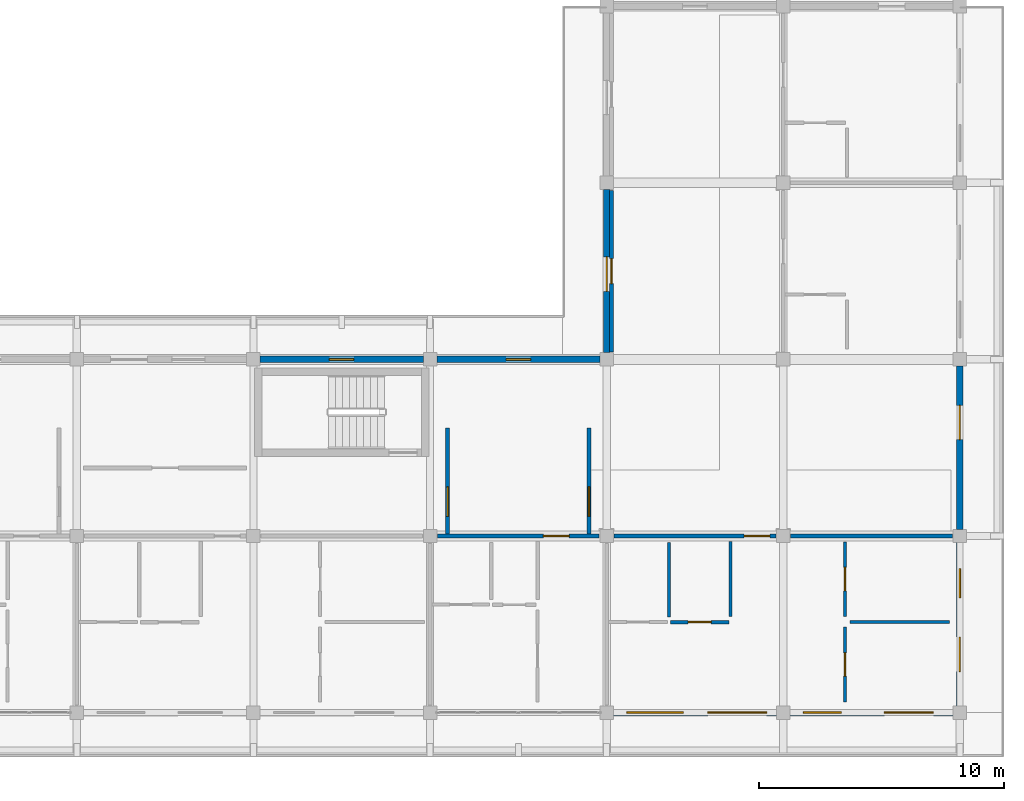
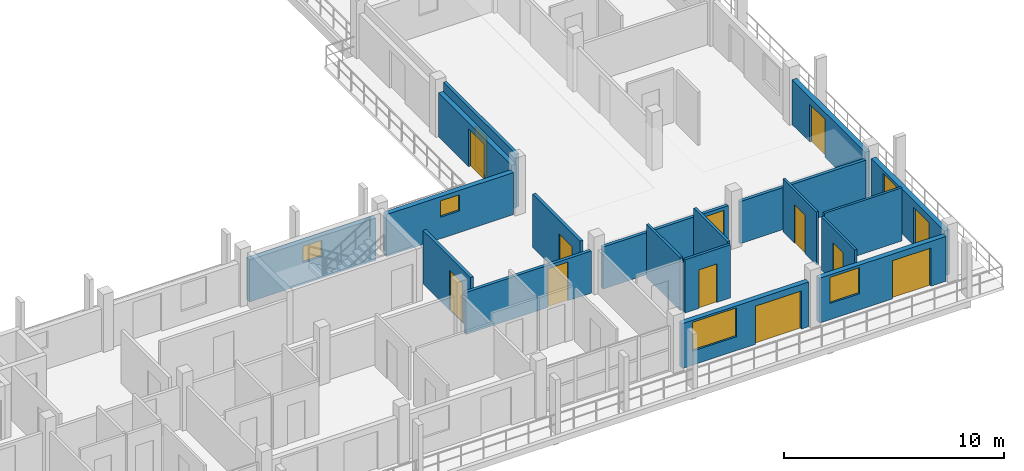
# One storey, part 46 of 65: 19 walls, 13 doors, 5 windows, 18 openings.
"""IFC4 building model written with IfcOpenShell, lengths in metres."""

from ifc_helpers import new_model, si_unit, direction, frame, frame_2d, origin, place, context, subcontext, project, spatial, rectangle, extrude, material, layer, layer_set, type_object, element, fill, save


model = new_model("IFC4")

# Units and contexts
model_context = context("Model", 3, precision=1e-05, world=origin(), true_north=direction((0.0, 1.0)))
body_context = subcontext(model_context, "Body", "Model", "MODEL_VIEW")
ifc_project = project(units=[si_unit("LENGTHUNIT", "METRE"), si_unit("AREAUNIT", "SQUARE_METRE"), si_unit("VOLUMEUNIT", "CUBIC_METRE"), si_unit("PLANEANGLEUNIT", "RADIAN"), si_unit("MASSUNIT", "GRAM", prefix="KILO")], contexts=[model_context])

# Site, building, storey
site_placement = place(None, origin())
site = spatial("IfcSite", under=ifc_project, at=site_placement, CompositionType="ELEMENT")
building_placement = place(site_placement, origin())
building = spatial("IfcBuilding", under=site, at=building_placement, Name="Suanplinth Sawtooth Commons", CompositionType="ELEMENT")
storey_placement = place(building_placement, frame((0.0, 0.0, 28.300048828125)))
storey = spatial("IfcBuildingStorey", under=building, at=storey_placement, Name="L08", CompositionType="ELEMENT", Elevation=28.300048828125)

# Wall, opening, window
ifc_material_1 = material(Name="Precast concrete C40/50", Category="concrete")
ifc_layer_1 = layer(ifc_material_1, 0.260009765625, Name="Insulated precast courtyard facade wall 260mm")
ifc_layer_set_1 = layer_set([ifc_layer_1], Name="Precast concrete C40/50")
wall_type_1 = type_object("IfcWallType", Name="W-EX02", PredefinedType="ELEMENTEDWALL", material=ifc_layer_set_1)
wall_1_placement = place(storey_placement, frame((158.675048828125, 14.39990234375, 0.0), z_axis=(0.0, 0.0, 1.0), x_axis=(1.0, 0.0, 0.0)))
wall_1 = element("IfcWall", 1, at=wall_1_placement, inside=storey, type_object=wall_type_1, Name="Facade Wall W-L08-C-N-22-1", PredefinedType="ELEMENTEDWALL", context=body_context, shape_type="SweptSolid", body=[
    extrude(rectangle(XDim=6.64990234375, YDim=0.260009765625, at=frame_2d((3.324951171875, 0.0))), origin(), (0.0, 0.0, 1.0), 2.3349609375),
])
opening_1_placement = place(wall_1_placement, frame((2.824951171875, 0.0, 1.199951171875)))
opening_1 = element("IfcOpeningElement", 2, at=opening_1_placement, cuts=wall_1, Name="Opening W0748", PredefinedType="OPENING", context=body_context, shape_type="SweptSolid", body=[
    extrude(rectangle(XDim=1.0, YDim=0.89990234375, at=frame_2d((0.5, 0.449951171875))), frame((0.0, 0.14501953125, 0.0), z_axis=(0.0, -1.0, 0.0), x_axis=(1.0, 0.0, 0.0)), (0.0, 0.0, 1.0), 0.289794921875),
])
ifc_material_2 = material(Name="Thermally broken aluminium and low-E double glazing", Category="aluminium")
window_type_1 = type_object("IfcWindowType", Name="WN-12", PartitioningType="SINGLE_PANEL", PredefinedType="WINDOW", material=ifc_material_2)
window_1_placement = place(opening_1_placement, origin())
window_1 = element("IfcWindow", 3, at=window_1_placement, inside=storey, type_object=window_type_1, Name="Core Daylight Window L08-C-22-1", OverallHeight=0.89990234375, OverallWidth=1.0, PartitioningType="SINGLE_PANEL", PredefinedType="WINDOW", context=body_context, shape_type="SweptSolid", body=[
    extrude(rectangle(XDim=1.0, YDim=0.89990234375, at=frame_2d((0.5, 0.449951171875))), frame((0.0, 0.030029296875, 0.0), z_axis=(0.0, -1.0, 0.0), x_axis=(1.0, 0.0, 0.0)), (0.0, 0.0, 1.0), 0.06005859375),
])
fill(opening_1, window_1)

wall_2_placement = place(storey_placement, frame((165.875, 14.39990234375, 0.0), z_axis=(0.0, 0.0, 1.0), x_axis=(1.0, 0.0, 0.0)))
wall_2 = element("IfcWall", 4, at=wall_2_placement, inside=storey, type_object=wall_type_1, Name="Facade Wall W-L08-C-N-23-1", PredefinedType="ELEMENTEDWALL", context=body_context, shape_type="SweptSolid", body=[
    extrude(rectangle(XDim=6.64990234375, YDim=0.260009765625, at=frame_2d((3.324951171875, 0.0))), origin(), (0.0, 0.0, 1.0), 2.3349609375),
])
opening_2_placement = place(wall_2_placement, frame((2.824951171875, 0.0, 1.199951171875)))
opening_2 = element("IfcOpeningElement", 5, at=opening_2_placement, cuts=wall_2, Name="Opening W0749", PredefinedType="OPENING", context=body_context, shape_type="SweptSolid", body=[
    extrude(rectangle(XDim=1.0, YDim=0.89990234375, at=frame_2d((0.5, 0.449951171875))), frame((0.0, 0.14501953125, 0.0), z_axis=(0.0, -1.0, 0.0), x_axis=(1.0, 0.0, 0.0)), (0.0, 0.0, 1.0), 0.289794921875),
])
window_2_placement = place(opening_2_placement, origin())
window_2 = element("IfcWindow", 6, at=window_2_placement, inside=storey, type_object=window_type_1, Name="Core Daylight Window L08-C-23-1", OverallHeight=0.89990234375, OverallWidth=1.0, PartitioningType="SINGLE_PANEL", PredefinedType="WINDOW", context=body_context, shape_type="SweptSolid", body=[
    extrude(rectangle(XDim=1.0, YDim=0.89990234375, at=frame_2d((0.5, 0.449951171875))), frame((0.0, 0.030029296875, 0.0), z_axis=(0.0, -1.0, 0.0), x_axis=(1.0, 0.0, 0.0)), (0.0, 0.0, 1.0), 0.06005859375),
])
fill(opening_2, window_2)

# Wall, openings, door, window
wall_3_placement = place(storey_placement, frame((173.074951171875, 0.0, 0.0), z_axis=(0.0, 0.0, 1.0), x_axis=(1.0, 0.0, 0.0)))
wall_3 = element("IfcWall", 7, at=wall_3_placement, inside=storey, type_object=wall_type_1, Name="Facade Wall W-L08-C-S-24-0", PredefinedType="ELEMENTEDWALL", context=body_context, shape_type="SweptSolid", body=[
    extrude(rectangle(XDim=6.650146484375, YDim=0.260009765625, at=frame_2d((3.3251953125, 0.0))), origin(), (0.0, 0.0, 1.0), 2.48486328125),
])
opening_3_placement = place(wall_3_placement, frame((3.85009765625, 0.0, 0.0)))
opening_3 = element("IfcOpeningElement", 8, at=opening_3_placement, cuts=wall_3, Name="Opening ED0665", PredefinedType="OPENING", context=body_context, shape_type="SweptSolid", body=[
    extrude(rectangle(XDim=2.39990234375, YDim=2.1201171875, at=frame_2d((1.199951171875, 1.06005859375))), frame((0.0, 0.14501953125, 0.0), z_axis=(0.0, -1.0, 0.0), x_axis=(1.0, 0.0, 0.0)), (0.0, 0.0, 1.0), 0.289794921875),
])
opening_4_placement = place(wall_3_placement, frame((0.550048828125, 0.0, 0.77490234375)))
opening_4 = element("IfcOpeningElement", 9, at=opening_4_placement, cuts=wall_3, Name="Opening W0750", PredefinedType="OPENING", context=body_context, shape_type="SweptSolid", body=[
    extrude(rectangle(XDim=2.300048828125, YDim=1.60009765625, at=frame_2d((1.14990234375, 0.800048828125))), frame((0.0, 0.14501953125, 0.0), z_axis=(0.0, -1.0, 0.0), x_axis=(1.0, 0.0, 0.0)), (0.0, 0.0, 1.0), 0.289794921875),
])
ifc_material_3 = material(Name="Anodized aluminium and low-E glass", Category="aluminium")
door_type_1 = type_object("IfcDoorType", Name="SD-04", OperationType="DOUBLE_DOOR_SLIDING", PredefinedType="DOOR", material=ifc_material_3)
door_1_placement = place(opening_3_placement, frame((2.39990234375, 0.0, 0.0), z_axis=(0.0, 0.0, 1.0), x_axis=(-1.0, 0.0, 0.0)))
door_1 = element("IfcDoor", 10, at=door_1_placement, inside=storey, type_object=door_type_1, Name="Balcony Sliding Door L08-C-24", OperationType="DOUBLE_DOOR_SLIDING", OverallHeight=2.1201171875, OverallWidth=2.39990234375, PredefinedType="DOOR", context=body_context, shape_type="SweptSolid", body=[
    extrude(rectangle(XDim=2.39990234375, YDim=2.1201171875, at=frame_2d((1.199951171875, 1.06005859375))), frame((0.0, 0.02490234375, 0.0), z_axis=(0.0, -1.0, 0.0), x_axis=(1.0, 0.0, 0.0)), (0.0, 0.0, 1.0), 0.050048828125),
])
fill(opening_3, door_1)
window_type_2 = type_object("IfcWindowType", Name="WN-21", PartitioningType="TRIPLE_PANEL_VERTICAL", PredefinedType="WINDOW", material=ifc_material_2)
window_3_placement = place(opening_4_placement, origin())
window_3 = element("IfcWindow", 11, at=window_3_placement, inside=storey, type_object=window_type_2, Name="Apartment Window L08-C-24", OverallHeight=1.60009765625, OverallWidth=2.300048828125, PartitioningType="TRIPLE_PANEL_VERTICAL", PredefinedType="WINDOW", context=body_context, shape_type="SweptSolid", body=[
    extrude(rectangle(XDim=2.300048828125, YDim=1.60009765625, at=frame_2d((1.14990234375, 0.800048828125))), frame((0.0, 0.030029296875, 0.0), z_axis=(0.0, -1.0, 0.0), x_axis=(1.0, 0.0, 0.0)), (0.0, 0.0, 1.0), 0.06005859375),
])
fill(opening_4, window_3)

# Wall, opening, door
wall_4_placement = place(storey_placement, frame((172.800048828125, 14.675048828125, 0.0), z_axis=(0.0, 0.0, 1.0), x_axis=(0.0, 1.0, 0.0)))
wall_4 = element("IfcWall", 12, at=wall_4_placement, inside=storey, type_object=wall_type_1, Name="Facade Wall W-L08-C-W-24-2", PredefinedType="ELEMENTEDWALL", context=body_context, shape_type="SweptSolid", body=[
    extrude(rectangle(XDim=6.64990234375, YDim=0.260009765625, at=frame_2d((3.324951171875, 0.0))), origin(), (0.0, 0.0, 1.0), 2.43505859375),
])
opening_5_placement = place(wall_4_placement, frame((2.5, 0.0, 0.0)))
opening_5 = element("IfcOpeningElement", 13, at=opening_5_placement, cuts=wall_4, Name="Opening ED0666", PredefinedType="OPENING", context=body_context, shape_type="SweptSolid", body=[
    extrude(rectangle(XDim=1.39990234375, YDim=2.10009765625, at=frame_2d((0.699951171875, 1.050048828125))), frame((0.0, 0.14501953125, 0.0), z_axis=(0.0, -1.0, 0.0), x_axis=(1.0, 0.0, 0.0)), (0.0, 0.0, 1.0), 0.289794921875),
])
door_type_2 = type_object("IfcDoorType", Name="SD-07", OperationType="SLIDING_TO_RIGHT", PredefinedType="DOOR", material=ifc_material_3)
door_2_placement = place(opening_5_placement, frame((1.39990234375, 0.0, 0.0), z_axis=(0.0, 0.0, 1.0), x_axis=(-1.0, 0.0, 0.0)))
door_2 = element("IfcDoor", 14, at=door_2_placement, inside=storey, type_object=door_type_2, Name="Courtyard Veranda Studio Balcony Door L08-C-2", OperationType="SLIDING_TO_RIGHT", OverallHeight=2.10009765625, OverallWidth=1.39990234375, PredefinedType="DOOR", context=body_context, shape_type="SweptSolid", body=[
    extrude(rectangle(XDim=1.39990234375, YDim=2.10009765625, at=frame_2d((0.699951171875, 1.050048828125))), frame((0.0, 0.02490234375, 0.0), z_axis=(0.0, -1.0, 0.0), x_axis=(1.0, 0.0, 0.0)), (0.0, 0.0, 1.0), 0.050048828125),
])
fill(opening_5, door_2)

# Wall, openings, door, window
wall_5_placement = place(storey_placement, frame((180.27490234375, 0.0, 0.0), z_axis=(0.0, 0.0, 1.0), x_axis=(1.0, 0.0, 0.0)))
wall_5 = element("IfcWall", 15, at=wall_5_placement, inside=storey, type_object=wall_type_1, Name="Facade Wall W-L08-C-S-25-0", PredefinedType="ELEMENTEDWALL", context=body_context, shape_type="SweptSolid", body=[
    extrude(rectangle(XDim=6.650146484375, YDim=0.260009765625, at=frame_2d((3.3251953125, 0.0))), origin(), (0.0, 0.0, 1.0), 2.48486328125),
])
opening_6_placement = place(wall_5_placement, frame((3.85009765625, 0.0, 0.0)))
opening_6 = element("IfcOpeningElement", 16, at=opening_6_placement, cuts=wall_5, Name="Opening ED0668", PredefinedType="OPENING", context=body_context, shape_type="SweptSolid", body=[
    extrude(rectangle(XDim=2.0, YDim=2.1201171875, at=frame_2d((1.0, 1.06005859375))), frame((0.0, 0.14501953125, 0.0), z_axis=(0.0, -1.0, 0.0), x_axis=(1.0, 0.0, 0.0)), (0.0, 0.0, 1.0), 0.289794921875),
])
opening_7_placement = place(wall_5_placement, frame((0.550048828125, 0.0, 0.89990234375)))
opening_7 = element("IfcOpeningElement", 17, at=opening_7_placement, cuts=wall_5, Name="Opening W0752", PredefinedType="OPENING", context=body_context, shape_type="SweptSolid", body=[
    extrude(rectangle(XDim=1.550048828125, YDim=1.449951171875, at=frame_2d((0.77490234375, 0.72509765625))), frame((0.0, 0.14501953125, 0.0), z_axis=(0.0, -1.0, 0.0), x_axis=(1.0, 0.0, 0.0)), (0.0, 0.0, 1.0), 0.289794921875),
])
door_type_3 = type_object("IfcDoorType", Name="SD-06", OperationType="DOUBLE_DOOR_SLIDING", PredefinedType="DOOR", material=ifc_material_3)
door_3_placement = place(opening_6_placement, frame((2.0, 0.0, 0.0), z_axis=(0.0, 0.0, 1.0), x_axis=(-1.0, 0.0, 0.0)))
door_3 = element("IfcDoor", 18, at=door_3_placement, inside=storey, type_object=door_type_3, Name="Balcony Sliding Door L08-C-25", OperationType="DOUBLE_DOOR_SLIDING", OverallHeight=2.1201171875, OverallWidth=2.0, PredefinedType="DOOR", context=body_context, shape_type="SweptSolid", body=[
    extrude(rectangle(XDim=2.0, YDim=2.1201171875, at=frame_2d((1.0, 1.06005859375))), frame((0.0, 0.02490234375, 0.0), z_axis=(0.0, -1.0, 0.0), x_axis=(1.0, 0.0, 0.0)), (0.0, 0.0, 1.0), 0.050048828125),
])
fill(opening_6, door_3)
window_type_3 = type_object("IfcWindowType", Name="WN-22", PartitioningType="DOUBLE_PANEL_VERTICAL", PredefinedType="WINDOW", material=ifc_material_2)
window_4_placement = place(opening_7_placement, origin())
window_4 = element("IfcWindow", 19, at=window_4_placement, inside=storey, type_object=window_type_3, Name="Apartment Window L08-C-25", OverallHeight=1.449951171875, OverallWidth=1.550048828125, PartitioningType="DOUBLE_PANEL_VERTICAL", PredefinedType="WINDOW", context=body_context, shape_type="SweptSolid", body=[
    extrude(rectangle(XDim=1.550048828125, YDim=1.449951171875, at=frame_2d((0.77490234375, 0.72509765625))), frame((0.0, 0.030029296875, 0.0), z_axis=(0.0, -1.0, 0.0), x_axis=(1.0, 0.0, 0.0)), (0.0, 0.0, 1.0), 0.06005859375),
])
fill(opening_7, window_4)

wall_6_placement = place(storey_placement, frame((187.199951171875, 0.27490234375, 0.0), z_axis=(0.0, 0.0, 1.0), x_axis=(0.0, 1.0, 0.0)))
wall_6 = element("IfcWall", 20, at=wall_6_placement, inside=storey, type_object=wall_type_1, Name="Facade Wall W-L08-C-E-25-0", PredefinedType="ELEMENTEDWALL", context=body_context, shape_type="SweptSolid", body=[
    extrude(rectangle(XDim=6.650146484375, YDim=0.260009765625, at=frame_2d((3.3251953125, 0.0))), origin(), (0.0, 0.0, 1.0), 2.48486328125),
])
opening_8_placement = place(wall_6_placement, frame((1.39990234375, 0.0, 0.0)))
opening_8 = element("IfcOpeningElement", 21, at=opening_8_placement, cuts=wall_6, Name="Opening ED0669", PredefinedType="OPENING", context=body_context, shape_type="SweptSolid", body=[
    extrude(rectangle(XDim=1.39990234375, YDim=2.10009765625, at=frame_2d((0.699951171875, 1.050048828125))), frame((0.0, 0.14501953125, 0.0), z_axis=(0.0, -1.0, 0.0), x_axis=(1.0, 0.0, 0.0)), (0.0, 0.0, 1.0), 0.289794921875),
])
opening_9_placement = place(wall_6_placement, frame((4.39990234375, 0.0, 0.949951171875)))
opening_9 = element("IfcOpeningElement", 22, at=opening_9_placement, cuts=wall_6, Name="Opening W0753", PredefinedType="OPENING", context=body_context, shape_type="SweptSolid", body=[
    extrude(rectangle(XDim=1.199951171875, YDim=1.35009765625, at=frame_2d((0.60009765625, 0.675048828125))), frame((0.0, 0.14501953125, 0.0), z_axis=(0.0, -1.0, 0.0), x_axis=(1.0, 0.0, 0.0)), (0.0, 0.0, 1.0), 0.289794921875),
])
door_4_placement = place(opening_8_placement, frame((1.39990234375, 0.0, 0.0), z_axis=(0.0, 0.0, 1.0), x_axis=(-1.0, 0.0, 0.0)))
door_4 = element("IfcDoor", 23, at=door_4_placement, inside=storey, type_object=door_type_2, Name="End Balcony Sliding Door L08-C-E-25-0", OperationType="SLIDING_TO_RIGHT", OverallHeight=2.10009765625, OverallWidth=1.39990234375, PredefinedType="DOOR", context=body_context, shape_type="SweptSolid", body=[
    extrude(rectangle(XDim=1.39990234375, YDim=2.10009765625, at=frame_2d((0.699951171875, 1.050048828125))), frame((0.0, 0.02490234375, 0.0), z_axis=(0.0, -1.0, 0.0), x_axis=(1.0, 0.0, 0.0)), (0.0, 0.0, 1.0), 0.050048828125),
])
fill(opening_8, door_4)
window_type_4 = type_object("IfcWindowType", Name="WN-03", PartitioningType="SINGLE_PANEL", PredefinedType="WINDOW", material=ifc_material_2)
window_5_placement = place(opening_9_placement, origin())
window_5 = element("IfcWindow", 24, at=window_5_placement, inside=storey, type_object=window_type_4, Name="End Bedroom Window L08-C-25-0", OverallHeight=1.35009765625, OverallWidth=1.199951171875, PartitioningType="SINGLE_PANEL", PredefinedType="WINDOW", context=body_context, shape_type="SweptSolid", body=[
    extrude(rectangle(XDim=1.199951171875, YDim=1.35009765625, at=frame_2d((0.60009765625, 0.675048828125))), frame((0.0, 0.030029296875, 0.0), z_axis=(0.0, -1.0, 0.0), x_axis=(1.0, 0.0, 0.0)), (0.0, 0.0, 1.0), 0.06005859375),
])
fill(opening_9, window_5)

# Wall, opening, door
wall_7_placement = place(storey_placement, frame((187.199951171875, 7.47509765625, 0.0), z_axis=(0.0, 0.0, 1.0), x_axis=(0.0, 1.0, 0.0)))
wall_7 = element("IfcWall", 25, at=wall_7_placement, inside=storey, type_object=wall_type_1, Name="Facade Wall W-L08-C-E-25-1", PredefinedType="ELEMENTEDWALL", context=body_context, shape_type="SweptSolid", body=[
    extrude(rectangle(XDim=6.64990234375, YDim=0.260009765625, at=frame_2d((3.324951171875, 0.0))), origin(), (0.0, 0.0, 1.0), 2.48486328125),
])
opening_10_placement = place(wall_7_placement, frame((3.64990234375, 0.0, 0.0)))
opening_10 = element("IfcOpeningElement", 26, at=opening_10_placement, cuts=wall_7, Name="Opening ED0670", PredefinedType="OPENING", context=body_context, shape_type="SweptSolid", body=[
    extrude(rectangle(XDim=1.39990234375, YDim=2.10009765625, at=frame_2d((0.699951171875, 1.050048828125))), frame((0.0, 0.14501953125, 0.0), z_axis=(0.0, -1.0, 0.0), x_axis=(1.0, 0.0, 0.0)), (0.0, 0.0, 1.0), 0.289794921875),
])
door_5_placement = place(opening_10_placement, frame((1.39990234375, 0.0, 0.0), z_axis=(0.0, 0.0, 1.0), x_axis=(-1.0, 0.0, 0.0)))
door_5 = element("IfcDoor", 27, at=door_5_placement, inside=storey, type_object=door_type_2, Name="End Balcony Sliding Door L08-C-E-25-1", OperationType="SLIDING_TO_RIGHT", OverallHeight=2.10009765625, OverallWidth=1.39990234375, PredefinedType="DOOR", context=body_context, shape_type="SweptSolid", body=[
    extrude(rectangle(XDim=1.39990234375, YDim=2.10009765625, at=frame_2d((0.699951171875, 1.050048828125))), frame((0.0, 0.02490234375, 0.0), z_axis=(0.0, -1.0, 0.0), x_axis=(1.0, 0.0, 0.0)), (0.0, 0.0, 1.0), 0.050048828125),
])
fill(opening_10, door_5)

ifc_layer_2 = layer(ifc_material_1, 0.159912109375, Name="Fire-rated corridor and lobby wall 160mm")
ifc_layer_set_2 = layer_set([ifc_layer_2], Name="Precast concrete C40/50")
wall_type_2 = type_object("IfcWallType", Name="W-FW01", PredefinedType="PARTITIONING", material=ifc_layer_set_2)
wall_8_placement = place(storey_placement, frame((166.320068359375, 7.280029296875, 0.0), z_axis=(0.0, 0.0, 1.0), x_axis=(0.0, 1.0, 0.0)))
wall_8 = element("IfcWall", 28, at=wall_8_placement, inside=storey, type_object=wall_type_2, Name="W-L08-C-C2-LOB-W", PredefinedType="PARTITIONING", context=body_context, shape_type="SweptSolid", body=[
    extrude(rectangle(XDim=4.320068359375, YDim=0.159912109375, at=frame_2d((2.16015625, 0.0))), origin(), (0.0, 0.0, 1.0), 2.949951171875),
])
opening_11_placement = place(wall_8_placement, frame((0.719970703125, 0.0, 0.0)))
opening_11 = element("IfcOpeningElement", 29, at=opening_11_placement, cuts=wall_8, Name="Opening FD0349", PredefinedType="OPENING", context=body_context, shape_type="SweptSolid", body=[
    extrude(rectangle(XDim=1.199951171875, YDim=2.199951171875, at=frame_2d((0.60009765625, 1.10009765625))), frame((0.0, 0.0947265625, 0.0), z_axis=(0.0, -1.0, 0.0), x_axis=(1.0, 0.0, 0.0)), (0.0, 0.0, 1.0), 0.189697265625),
])
ifc_material_4 = material(Name="Teak hardwood fire-rated door assembly", Category="wood")
door_type_4 = type_object("IfcDoorType", Name="FD-02", OperationType="NOTDEFINED", PredefinedType="DOOR", material=ifc_material_4)
door_6_placement = place(opening_11_placement, origin())
door_6 = element("IfcDoor", 30, at=door_6_placement, inside=storey, type_object=door_type_4, Name="Lobby Fire Door FD0349", OperationType="SINGLE_SWING_RIGHT", OverallHeight=2.199951171875, OverallWidth=1.199951171875, PredefinedType="DOOR", context=body_context, shape_type="SweptSolid", body=[
    extrude(rectangle(XDim=1.199951171875, YDim=2.199951171875, at=frame_2d((0.60009765625, 1.10009765625))), frame((0.0, 0.02490234375, 0.0), z_axis=(0.0, -1.0, 0.0), x_axis=(1.0, 0.0, 0.0)), (0.0, 0.0, 1.0), 0.050048828125),
])
fill(opening_11, door_6)

wall_9_placement = place(storey_placement, frame((172.080078125, 7.280029296875, 0.0), z_axis=(0.0, 0.0, 1.0), x_axis=(0.0, 1.0, 0.0)))
wall_9 = element("IfcWall", 31, at=wall_9_placement, inside=storey, type_object=wall_type_2, Name="W-L08-C-C2-LOB-E", PredefinedType="PARTITIONING", context=body_context, shape_type="SweptSolid", body=[
    extrude(rectangle(XDim=4.320068359375, YDim=0.159912109375, at=frame_2d((2.16015625, 0.0))), origin(), (0.0, 0.0, 1.0), 2.949951171875),
])
opening_12_placement = place(wall_9_placement, frame((0.719970703125, 0.0, 0.0)))
opening_12 = element("IfcOpeningElement", 32, at=opening_12_placement, cuts=wall_9, Name="Opening FD0350", PredefinedType="OPENING", context=body_context, shape_type="SweptSolid", body=[
    extrude(rectangle(XDim=1.199951171875, YDim=2.199951171875, at=frame_2d((0.60009765625, 1.10009765625))), frame((0.0, 0.0947265625, 0.0), z_axis=(0.0, -1.0, 0.0), x_axis=(1.0, 0.0, 0.0)), (0.0, 0.0, 1.0), 0.189697265625),
])
door_7_placement = place(opening_12_placement, frame((1.199951171875, 0.0, 0.0), z_axis=(0.0, 0.0, 1.0), x_axis=(-1.0, 0.0, 0.0)))
door_7 = element("IfcDoor", 33, at=door_7_placement, inside=storey, type_object=door_type_4, Name="Lobby Fire Door FD0350", OperationType="SINGLE_SWING_LEFT", OverallHeight=2.199951171875, OverallWidth=1.199951171875, PredefinedType="DOOR", context=body_context, shape_type="SweptSolid", body=[
    extrude(rectangle(XDim=1.199951171875, YDim=2.199951171875, at=frame_2d((0.60009765625, 1.10009765625))), frame((0.0, 0.02490234375, 0.0), z_axis=(0.0, -1.0, 0.0), x_axis=(1.0, 0.0, 0.0)), (0.0, 0.0, 1.0), 0.050048828125),
])
fill(opening_12, door_7)

wall_10_placement = place(storey_placement, frame((165.905029296875, 7.199951171875, 0.0), z_axis=(0.0, 0.0, 1.0), x_axis=(1.0, 0.0, 0.0)))
wall_10 = element("IfcWall", 34, at=wall_10_placement, inside=storey, type_object=wall_type_2, Name="W-C-L08-U04-COR", PredefinedType="PARTITIONING", context=body_context, shape_type="SweptSolid", body=[
    extrude(rectangle(XDim=6.590087890625, YDim=0.159912109375, at=frame_2d((3.294921875, 0.0))), origin(), (0.0, 0.0, 1.0), 2.3349609375),
])
opening_13_placement = place(wall_10_placement, frame((4.320068359375, 0.0, 0.0)))
opening_13 = element("IfcOpeningElement", 35, at=opening_13_placement, cuts=wall_10, Name="Opening FD1713", PredefinedType="OPENING", context=body_context, shape_type="SweptSolid", body=[
    extrude(rectangle(XDim=1.050048828125, YDim=2.14990234375, at=frame_2d((0.52490234375, 1.074951171875))), frame((0.0, 0.0947265625, 0.0), z_axis=(0.0, -1.0, 0.0), x_axis=(1.0, 0.0, 0.0)), (0.0, 0.0, 1.0), 0.189697265625),
])
door_type_5 = type_object("IfcDoorType", Name="FD-04", OperationType="NOTDEFINED", PredefinedType="DOOR", material=ifc_material_4)
door_8_placement = place(opening_13_placement, frame((1.050048828125, 0.0, 0.0), z_axis=(0.0, 0.0, 1.0), x_axis=(-1.0, 0.0, 0.0)))
door_8 = element("IfcDoor", 36, at=door_8_placement, inside=storey, type_object=door_type_5, Name="Unit Entrance Door FD1713", OperationType="SINGLE_SWING_LEFT", OverallHeight=2.14990234375, OverallWidth=1.050048828125, PredefinedType="DOOR", context=body_context, shape_type="SweptSolid", body=[
    extrude(rectangle(XDim=1.050048828125, YDim=2.14990234375, at=frame_2d((0.52490234375, 1.074951171875))), frame((0.0, 0.02490234375, 0.0), z_axis=(0.0, -1.0, 0.0), x_axis=(1.0, 0.0, 0.0)), (0.0, 0.0, 1.0), 0.050048828125),
])
fill(opening_13, door_8)

wall_11_placement = place(storey_placement, frame((173.10498046875, 7.199951171875, 0.0), z_axis=(0.0, 0.0, 1.0), x_axis=(1.0, 0.0, 0.0)))
wall_11 = element("IfcWall", 37, at=wall_11_placement, inside=storey, type_object=wall_type_2, Name="W-C-L08-U05-COR-S1", PredefinedType="PARTITIONING", context=body_context, shape_type="SweptSolid", body=[
    extrude(rectangle(XDim=6.590087890625, YDim=0.159912109375, at=frame_2d((3.294921875, 0.0))), origin(), (0.0, 0.0, 1.0), 2.3349609375),
])
opening_14_placement = place(wall_11_placement, frame((5.300048828125, 0.0, 0.0)))
opening_14 = element("IfcOpeningElement", 38, at=opening_14_placement, cuts=wall_11, Name="Opening FD1717", PredefinedType="OPENING", context=body_context, shape_type="SweptSolid", body=[
    extrude(rectangle(XDim=1.050048828125, YDim=2.14990234375, at=frame_2d((0.52490234375, 1.074951171875))), frame((0.0, 0.0947265625, 0.0), z_axis=(0.0, -1.0, 0.0), x_axis=(1.0, 0.0, 0.0)), (0.0, 0.0, 1.0), 0.189697265625),
])
door_9_placement = place(opening_14_placement, frame((1.050048828125, 0.0, 0.0), z_axis=(0.0, 0.0, 1.0), x_axis=(-1.0, 0.0, 0.0)))
door_9 = element("IfcDoor", 39, at=door_9_placement, inside=storey, type_object=door_type_5, Name="Unit Entrance Door FD1717", OperationType="SINGLE_SWING_LEFT", OverallHeight=2.14990234375, OverallWidth=1.050048828125, PredefinedType="DOOR", context=body_context, shape_type="SweptSolid", body=[
    extrude(rectangle(XDim=1.050048828125, YDim=2.14990234375, at=frame_2d((0.52490234375, 1.074951171875))), frame((0.0, 0.02490234375, 0.0), z_axis=(0.0, -1.0, 0.0), x_axis=(1.0, 0.0, 0.0)), (0.0, 0.0, 1.0), 0.050048828125),
])
fill(opening_14, door_9)

# Wall
wall_12_placement = place(storey_placement, frame((180.304931640625, 7.199951171875, 0.0), z_axis=(0.0, 0.0, 1.0), x_axis=(1.0, 0.0, 0.0)))
element("IfcWall", 40, at=wall_12_placement, inside=storey, type_object=wall_type_2, Name="W-C-L08-U05-COR-S2", PredefinedType="PARTITIONING", context=body_context, shape_type="SweptSolid", body=[
    extrude(rectangle(XDim=6.590087890625, YDim=0.159912109375, at=frame_2d((3.294921875, 0.0))), origin(), (0.0, 0.0, 1.0), 2.3349609375),
])

# Wall, opening, door
wall_13_placement = place(storey_placement, frame((173.0, 14.705078125, 0.0), z_axis=(0.0, 0.0, 1.0), x_axis=(0.0, 1.0, 0.0)))
wall_13 = element("IfcWall", 41, at=wall_13_placement, inside=storey, type_object=wall_type_2, Name="W-C-L08-LEGCOURTROOM-37-COR", PredefinedType="PARTITIONING", context=body_context, shape_type="SweptSolid", body=[
    extrude(rectangle(XDim=6.58984375, YDim=0.159912109375, at=frame_2d((3.294921875, 0.0))), origin(), (0.0, 0.0, 1.0), 2.949951171875),
])
opening_15_placement = place(wall_13_placement, frame((2.784912109375, 0.0, 0.0)))
opening_15 = element("IfcOpeningElement", 42, at=opening_15_placement, cuts=wall_13, Name="Opening D1725", PredefinedType="OPENING", context=body_context, shape_type="SweptSolid", body=[
    extrude(rectangle(XDim=1.02001953125, YDim=2.179931640625, at=frame_2d((0.510009765625, 1.08984375))), frame((0.0, 0.0947265625, 0.0), z_axis=(0.0, -1.0, 0.0), x_axis=(1.0, 0.0, 0.0)), (0.0, 0.0, 1.0), 0.189697265625),
])
ifc_material_5 = material(Name="Teak hardwood", Category="wood")
door_type_6 = type_object("IfcDoorType", Name="D-16", OperationType="NOTDEFINED", PredefinedType="DOOR", material=ifc_material_5)
door_10_placement = place(opening_15_placement, origin())
door_10 = element("IfcDoor", 43, at=door_10_placement, inside=storey, type_object=door_type_6, Name="Veranda Studio Door D1725", OperationType="SINGLE_SWING_LEFT", OverallHeight=2.179931640625, OverallWidth=1.02001953125, PredefinedType="DOOR", context=body_context, shape_type="SweptSolid", body=[
    extrude(rectangle(XDim=1.02001953125, YDim=2.179931640625, at=frame_2d((0.510009765625, 1.08984375))), frame((0.0, 0.02490234375, 0.0), z_axis=(0.0, -1.0, 0.0), x_axis=(1.0, 0.0, 0.0)), (0.0, 0.0, 1.0), 0.050048828125),
])
fill(opening_15, door_10)

ifc_material_6 = material(Name="Gypsum plasterboard on steel stud", Category="steel")
ifc_layer_3 = layer(ifc_material_6, 0.139892578125, Name="Fire-rated kitchen partition 140mm")
ifc_layer_set_3 = layer_set([ifc_layer_3], Name="Gypsum plasterboard on steel stud")
wall_type_3 = type_object("IfcWallType", Name="W-PT01", PredefinedType="PARTITIONING", material=ifc_layer_set_3)
wall_14_placement = place(storey_placement, frame((175.39990234375, 3.68994140625, 0.0), z_axis=(0.0, 0.0, 1.0), x_axis=(1.0, 0.0, 0.0)))
wall_14 = element("IfcWall", 44, at=wall_14_placement, inside=storey, type_object=wall_type_3, Name="W-C-L08-U05-KIT1", PredefinedType="PARTITIONING", context=body_context, shape_type="SweptSolid", body=[
    extrude(rectangle(XDim=2.380126953125, YDim=0.139892578125, at=frame_2d((1.18994140625, 0.0))), origin(), (0.0, 0.0, 1.0), 2.949951171875),
])
opening_16_placement = place(wall_14_placement, frame((0.72509765625, 0.0, 0.0)))
opening_16 = element("IfcOpeningElement", 45, at=opening_16_placement, cuts=wall_14, Name="Opening D1719", PredefinedType="OPENING", context=body_context, shape_type="SweptSolid", body=[
    extrude(rectangle(XDim=0.929931640625, YDim=2.139892578125, at=frame_2d((0.46484375, 1.06982421875))), frame((0.0, 0.0849609375, 0.0), z_axis=(0.0, -1.0, 0.0), x_axis=(1.0, 0.0, 0.0)), (0.0, 0.0, 1.0), 0.169677734375),
])
door_type_7 = type_object("IfcDoorType", Name="D-19", OperationType="NOTDEFINED", PredefinedType="DOOR", material=ifc_material_5)
door_11_placement = place(opening_16_placement, origin())
door_11 = element("IfcDoor", 46, at=door_11_placement, inside=storey, type_object=door_type_7, Name="Kitchen Door D1719", OperationType="SINGLE_SWING_LEFT", OverallHeight=2.139892578125, OverallWidth=0.929931640625, PredefinedType="DOOR", context=body_context, shape_type="SweptSolid", body=[
    extrude(rectangle(XDim=0.929931640625, YDim=2.139892578125, at=frame_2d((0.46484375, 1.06982421875))), frame((0.0, 0.02490234375, 0.0), z_axis=(0.0, -1.0, 0.0), x_axis=(1.0, 0.0, 0.0)), (0.0, 0.0, 1.0), 0.050048828125),
])
fill(opening_16, door_11)

# Walls
wall_15_placement = place(storey_placement, frame((177.85009765625, 3.909912109375, 0.0), z_axis=(0.0, 0.0, 1.0), x_axis=(0.0, 1.0, 0.0)))
element("IfcWall", 47, at=wall_15_placement, inside=storey, type_object=wall_type_3, Name="W-C-L08-U05-KIT2", PredefinedType="PARTITIONING", context=body_context, shape_type="SweptSolid", body=[
    extrude(rectangle(XDim=3.06005859375, YDim=0.139892578125, at=frame_2d((1.530029296875, 0.0))), origin(), (0.0, 0.0, 1.0), 2.949951171875),
])
ifc_layer_4 = layer(ifc_material_6, 0.1298828125, Name="Moisture-resistant bathroom partition 130mm")
ifc_layer_set_4 = layer_set([ifc_layer_4], Name="Gypsum plasterboard on steel stud")
wall_type_4 = type_object("IfcWallType", Name="W-PT02", PredefinedType="PARTITIONING", material=ifc_layer_set_4)
wall_16_placement = place(storey_placement, frame((175.344970703125, 3.89990234375, 0.0), z_axis=(0.0, 0.0, 1.0), x_axis=(0.0, 1.0, 0.0)))
element("IfcWall", 48, at=wall_16_placement, inside=storey, type_object=wall_type_4, Name="W-C-L08-U05-BTH2", PredefinedType="PARTITIONING", context=body_context, shape_type="SweptSolid", body=[
    extrude(rectangle(XDim=3.0400390625, YDim=0.1298828125, at=frame_2d((1.52001953125, 0.0))), origin(), (0.0, 0.0, 1.0), 2.949951171875),
])

# Wall, opening, door
ifc_layer_5 = layer(ifc_material_6, 0.1201171875, Name="Acoustic bedroom partition 120mm")
ifc_layer_set_5 = layer_set([ifc_layer_5], Name="Gypsum plasterboard on steel stud")
wall_type_5 = type_object("IfcWallType", Name="W-PT03", PredefinedType="PARTITIONING", material=ifc_layer_set_5)
wall_17_placement = place(storey_placement, frame((182.52001953125, 0.43994140625, 0.0), z_axis=(0.0, 0.0, 1.0), x_axis=(0.0, 1.0, 0.0)))
wall_17 = element("IfcWall", 49, at=wall_17_placement, inside=storey, type_object=wall_type_5, Name="W-C-L08-U05-BED1", PredefinedType="PARTITIONING", context=body_context, shape_type="SweptSolid", body=[
    extrude(rectangle(XDim=3.0400390625, YDim=0.1201171875, at=frame_2d((1.52001953125, 0.0))), origin(), (0.0, 0.0, 1.0), 2.949951171875),
])
opening_17_placement = place(wall_17_placement, frame((1.044921875, 0.0, 0.0)))
opening_17 = element("IfcOpeningElement", 50, at=opening_17_placement, cuts=wall_17, Name="Opening D1720", PredefinedType="OPENING", context=body_context, shape_type="SweptSolid", body=[
    extrude(rectangle(XDim=0.949951171875, YDim=2.14990234375, at=frame_2d((0.47509765625, 1.074951171875))), frame((0.0, 0.074951171875, 0.0), z_axis=(0.0, -1.0, 0.0), x_axis=(1.0, 0.0, 0.0)), (0.0, 0.0, 1.0), 0.14990234375),
])
door_type_8 = type_object("IfcDoorType", Name="D-03", OperationType="NOTDEFINED", PredefinedType="DOOR", material=ifc_material_5)
door_12_placement = place(opening_17_placement, frame((0.949951171875, 0.0, 0.0), z_axis=(0.0, 0.0, 1.0), x_axis=(-1.0, 0.0, 0.0)))
door_12 = element("IfcDoor", 51, at=door_12_placement, inside=storey, type_object=door_type_8, Name="Bedroom Door D1720", OperationType="SINGLE_SWING_RIGHT", OverallHeight=2.14990234375, OverallWidth=0.949951171875, PredefinedType="DOOR", context=body_context, shape_type="SweptSolid", body=[
    extrude(rectangle(XDim=0.949951171875, YDim=2.14990234375, at=frame_2d((0.47509765625, 1.074951171875))), frame((0.0, 0.02490234375, 0.0), z_axis=(0.0, -1.0, 0.0), x_axis=(1.0, 0.0, 0.0)), (0.0, 0.0, 1.0), 0.050048828125),
])
fill(opening_17, door_12)

wall_18_placement = place(storey_placement, frame((182.52001953125, 3.919921875, 0.0), z_axis=(0.0, 0.0, 1.0), x_axis=(0.0, 1.0, 0.0)))
wall_18 = element("IfcWall", 52, at=wall_18_placement, inside=storey, type_object=wall_type_5, Name="W-C-L08-U05-BED2", PredefinedType="PARTITIONING", context=body_context, shape_type="SweptSolid", body=[
    extrude(rectangle(XDim=3.0400390625, YDim=0.1201171875, at=frame_2d((1.52001953125, 0.0))), origin(), (0.0, 0.0, 1.0), 2.949951171875),
])
opening_18_placement = place(wall_18_placement, frame((1.0400390625, 0.0, 0.0)))
opening_18 = element("IfcOpeningElement", 53, at=opening_18_placement, cuts=wall_18, Name="Opening D1721", PredefinedType="OPENING", context=body_context, shape_type="SweptSolid", body=[
    extrude(rectangle(XDim=0.9599609375, YDim=2.14990234375, at=frame_2d((0.47998046875, 1.074951171875))), frame((0.0, 0.074951171875, 0.0), z_axis=(0.0, -1.0, 0.0), x_axis=(1.0, 0.0, 0.0)), (0.0, 0.0, 1.0), 0.14990234375),
])
door_type_9 = type_object("IfcDoorType", Name="D-13", OperationType="NOTDEFINED", PredefinedType="DOOR", material=ifc_material_5)
door_13_placement = place(opening_18_placement, frame((0.9599609375, 0.0, 0.0), z_axis=(0.0, 0.0, 1.0), x_axis=(-1.0, 0.0, 0.0)))
door_13 = element("IfcDoor", 54, at=door_13_placement, inside=storey, type_object=door_type_9, Name="Second Bedroom Door D1721", OperationType="SINGLE_SWING_LEFT", OverallHeight=2.14990234375, OverallWidth=0.9599609375, PredefinedType="DOOR", context=body_context, shape_type="SweptSolid", body=[
    extrude(rectangle(XDim=0.9599609375, YDim=2.14990234375, at=frame_2d((0.47998046875, 1.074951171875))), frame((0.0, 0.02490234375, 0.0), z_axis=(0.0, -1.0, 0.0), x_axis=(1.0, 0.0, 0.0)), (0.0, 0.0, 1.0), 0.050048828125),
])
fill(opening_18, door_13)

# Wall
ifc_layer_6 = layer(ifc_material_6, 0.125, Name="Acoustic study partition 125mm")
ifc_layer_set_6 = layer_set([ifc_layer_6], Name="Gypsum plasterboard on steel stud")
wall_type_6 = type_object("IfcWallType", Name="W-PT06", PredefinedType="PARTITIONING", material=ifc_layer_set_6)
wall_19_placement = place(storey_placement, frame((182.719970703125, 3.699951171875, 0.0), z_axis=(0.0, 0.0, 1.0), x_axis=(1.0, 0.0, 0.0)))
element("IfcWall", 55, at=wall_19_placement, inside=storey, type_object=wall_type_6, Name="W-C-L08-U05-BEDDIV", PredefinedType="PARTITIONING", context=body_context, shape_type="SweptSolid", body=[
    extrude(rectangle(XDim=4.06005859375, YDim=0.125, at=frame_2d((2.030029296875, 0.0))), origin(), (0.0, 0.0, 1.0), 2.949951171875),
])

save(model, "model.ifc")
